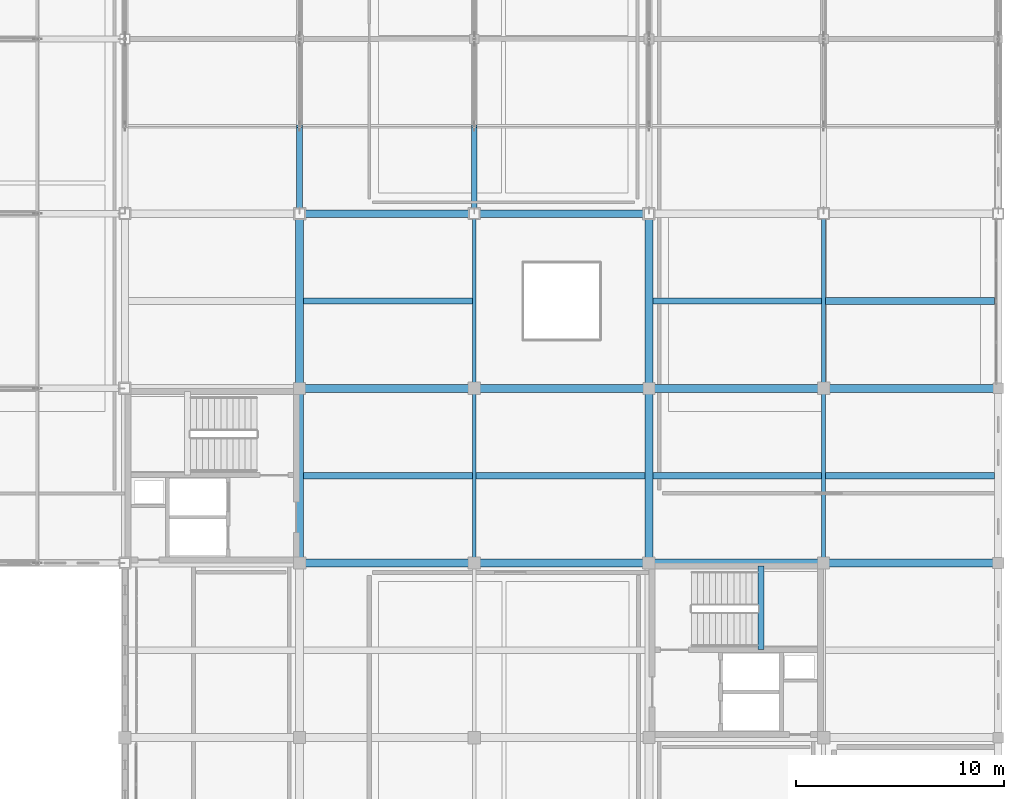
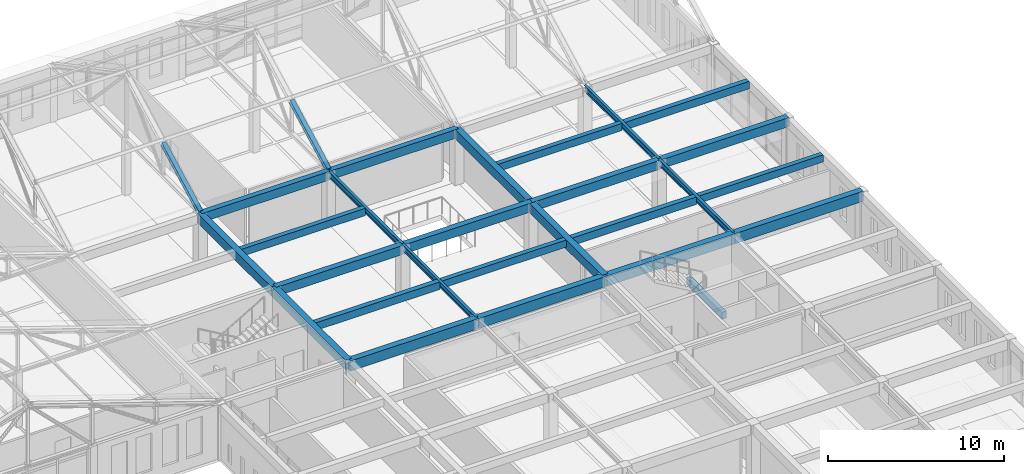
# One storey, part 18 of 56: 26 beams, 2 members.
"""IFC4 building model written with IfcOpenShell, lengths in metres."""

from ifc_helpers import new_model, si_unit, direction, frame, origin, origin_2d, place, context, subcontext, project, spatial, rectangle, i_section, extrude, material, material_profile, profile_set, type_object, element, save


model = new_model("IFC4")

# Units and contexts
model_context = context("Model", 3, precision=1e-05, world=origin(), true_north=direction((0.0, 1.0)))
body_context = subcontext(model_context, "Body", "Model", "MODEL_VIEW")
ifc_project = project(units=[si_unit("LENGTHUNIT", "METRE"), si_unit("AREAUNIT", "SQUARE_METRE"), si_unit("VOLUMEUNIT", "CUBIC_METRE"), si_unit("PLANEANGLEUNIT", "RADIAN"), si_unit("MASSUNIT", "GRAM", prefix="KILO")], contexts=[model_context])

# Site, building, storey
site_placement = place(None, origin())
site = spatial("IfcSite", under=ifc_project, at=site_placement, CompositionType="ELEMENT")
building_placement = place(site_placement, origin())
building = spatial("IfcBuilding", under=site, at=building_placement, Name="Kveldsbrygga Polytechnic", CompositionType="ELEMENT")
storey_placement = place(building_placement, frame((0.0, 0.0, 18.02001953125)))
storey = spatial("IfcBuildingStorey", under=building, at=storey_placement, Name="L04", CompositionType="ELEMENT", Elevation=18.02001953125)

# Beams
ifc_material_1 = material(Name="Concrete C35/45", Category="concrete")
ifc_material_profile_1 = material_profile(ifc_material_1, rectangle(XDim=0.3798828125, YDim=0.6201171875, at=origin_2d()), Name="RC 380x620")
ifc_profile_set_1 = profile_set([ifc_material_profile_1], Name="Concrete C35/45")
beam_type_1 = type_object("IfcBeamType", Name="BM-RC-380x620", PredefinedType="BEAM", material=ifc_profile_set_1)
beam_1_placement = place(storey_placement, frame((134.39990234375, 92.39990234375, 3.469970703125), z_axis=(1.0, 0.0, 0.0), x_axis=(0.0, 1.0, 0.0)))
element("IfcBeam", 1, at=beam_1_placement, inside=storey, type_object=beam_type_1, Name="Primary Beam BMX-L04-16to17-11", PredefinedType="BEAM", context=body_context, shape_type="SweptSolid", body=[
    extrude(rectangle(XDim=0.3798828125, YDim=0.6201171875, at=origin_2d()), origin(), (0.0, 0.0, 1.0), 8.400146484375),
])
beam_2_placement = place(storey_placement, frame((142.800048828125, 92.39990234375, 3.469970703125), z_axis=(1.0, 0.0, 0.0), x_axis=(0.0, 1.0, 0.0)))
element("IfcBeam", 2, at=beam_2_placement, inside=storey, type_object=beam_type_1, Name="Primary Beam BMX-L04-17to18-11", PredefinedType="BEAM", context=body_context, shape_type="SweptSolid", body=[
    extrude(rectangle(XDim=0.3798828125, YDim=0.6201171875, at=origin_2d()), origin(), (0.0, 0.0, 1.0), 8.39990234375),
])
beam_3_placement = place(storey_placement, frame((151.199951171875, 92.39990234375, 3.469970703125), z_axis=(1.0, 0.0, 0.0), x_axis=(0.0, 1.0, 0.0)))
element("IfcBeam", 3, at=beam_3_placement, inside=storey, type_object=beam_type_1, Name="Primary Beam BMX-L04-18to19-11", PredefinedType="BEAM", context=body_context, shape_type="SweptSolid", body=[
    extrude(rectangle(XDim=0.3798828125, YDim=0.6201171875, at=origin_2d()), origin(), (0.0, 0.0, 1.0), 8.400146484375),
])
beam_4_placement = place(storey_placement, frame((159.60009765625, 92.39990234375, 3.469970703125), z_axis=(1.0, 0.0, 0.0), x_axis=(0.0, 1.0, 0.0)))
element("IfcBeam", 4, at=beam_4_placement, inside=storey, type_object=beam_type_1, Name="Primary Beam BMX-L04-19to20-11", PredefinedType="BEAM", context=body_context, shape_type="SweptSolid", body=[
    extrude(rectangle(XDim=0.3798828125, YDim=0.6201171875, at=origin_2d()), origin(), (0.0, 0.0, 1.0), 8.39990234375),
])
ifc_material_profile_2 = material_profile(ifc_material_1, rectangle(XDim=0.39990234375, YDim=0.64990234375, at=origin_2d()), Name="RC 400x650")
ifc_profile_set_2 = profile_set([ifc_material_profile_2], Name="Concrete C35/45")
beam_type_2 = type_object("IfcBeamType", Name="BM-RC-400x650", PredefinedType="BEAM", material=ifc_profile_set_2)
beam_5_placement = place(storey_placement, frame((134.39990234375, 84.0, 3.455078125), z_axis=(0.0, 1.0, 0.0), x_axis=(-1.0, 0.0, 0.0)))
element("IfcBeam", 5, at=beam_5_placement, inside=storey, type_object=beam_type_2, Name="Primary Beam BMY-L04-16-10to11", PredefinedType="BEAM", context=body_context, shape_type="SweptSolid", body=[
    extrude(rectangle(XDim=0.39990234375, YDim=0.64990234375, at=origin_2d()), origin(), (0.0, 0.0, 1.0), 8.39990234375),
])
beam_6_placement = place(storey_placement, frame((134.39990234375, 92.39990234375, 3.455078125), z_axis=(0.0, 1.0, 0.0), x_axis=(-1.0, 0.0, 0.0)))
element("IfcBeam", 6, at=beam_6_placement, inside=storey, type_object=beam_type_2, Name="Primary Beam BMY-L04-16-11to12", PredefinedType="BEAM", context=body_context, shape_type="SweptSolid", body=[
    extrude(rectangle(XDim=0.39990234375, YDim=0.64990234375, at=origin_2d()), origin(), (0.0, 0.0, 1.0), 8.400146484375),
])
beam_7_placement = place(storey_placement, frame((151.199951171875, 84.0, 3.455078125), z_axis=(0.0, 1.0, 0.0), x_axis=(-1.0, 0.0, 0.0)))
element("IfcBeam", 7, at=beam_7_placement, inside=storey, type_object=beam_type_2, Name="Primary Beam BMY-L04-18-10to11", PredefinedType="BEAM", context=body_context, shape_type="SweptSolid", body=[
    extrude(rectangle(XDim=0.39990234375, YDim=0.64990234375, at=origin_2d()), origin(), (0.0, 0.0, 1.0), 8.39990234375),
])
beam_8_placement = place(storey_placement, frame((151.199951171875, 92.39990234375, 3.455078125), z_axis=(0.0, 1.0, 0.0), x_axis=(-1.0, 0.0, 0.0)))
element("IfcBeam", 8, at=beam_8_placement, inside=storey, type_object=beam_type_2, Name="Primary Beam BMY-L04-18-11to12", PredefinedType="BEAM", context=body_context, shape_type="SweptSolid", body=[
    extrude(rectangle(XDim=0.39990234375, YDim=0.64990234375, at=origin_2d()), origin(), (0.0, 0.0, 1.0), 8.400146484375),
])
ifc_material_profile_3 = material_profile(ifc_material_1, rectangle(XDim=0.39990234375, YDim=0.699951171875, at=origin_2d()), Name="RC 400x700")
ifc_profile_set_3 = profile_set([ifc_material_profile_3], Name="Concrete C35/45")
beam_type_3 = type_object("IfcBeamType", Name="BM-RC-400x700", PredefinedType="BEAM", material=ifc_profile_set_3)
beam_9_placement = place(storey_placement, frame((134.39990234375, 84.0, 3.429931640625), z_axis=(1.0, 0.0, 0.0), x_axis=(0.0, 1.0, 0.0)))
element("IfcBeam", 9, at=beam_9_placement, inside=storey, type_object=beam_type_3, Name="Primary Beam BMX-L04-16to17-10", PredefinedType="BEAM", context=body_context, shape_type="SweptSolid", body=[
    extrude(rectangle(XDim=0.39990234375, YDim=0.699951171875, at=origin_2d()), origin(), (0.0, 0.0, 1.0), 8.400146484375),
])
beam_10_placement = place(storey_placement, frame((142.800048828125, 84.0, 3.429931640625), z_axis=(1.0, 0.0, 0.0), x_axis=(0.0, 1.0, 0.0)))
element("IfcBeam", 10, at=beam_10_placement, inside=storey, type_object=beam_type_3, Name="Primary Beam BMX-L04-17to18-10", PredefinedType="BEAM", context=body_context, shape_type="SweptSolid", body=[
    extrude(rectangle(XDim=0.39990234375, YDim=0.699951171875, at=origin_2d()), origin(), (0.0, 0.0, 1.0), 8.39990234375),
])
beam_11_placement = place(storey_placement, frame((151.199951171875, 84.0, 3.429931640625), z_axis=(1.0, 0.0, 0.0), x_axis=(0.0, 1.0, 0.0)))
element("IfcBeam", 11, at=beam_11_placement, inside=storey, type_object=beam_type_3, Name="Primary Beam BMX-L04-18to19-10", PredefinedType="BEAM", context=body_context, shape_type="SweptSolid", body=[
    extrude(rectangle(XDim=0.39990234375, YDim=0.699951171875, at=origin_2d()), origin(), (0.0, 0.0, 1.0), 8.400146484375),
])
beam_12_placement = place(storey_placement, frame((159.60009765625, 84.0, 3.429931640625), z_axis=(1.0, 0.0, 0.0), x_axis=(0.0, 1.0, 0.0)))
element("IfcBeam", 12, at=beam_12_placement, inside=storey, type_object=beam_type_3, Name="Primary Beam BMX-L04-19to20-10", PredefinedType="BEAM", context=body_context, shape_type="SweptSolid", body=[
    extrude(rectangle(XDim=0.39990234375, YDim=0.699951171875, at=origin_2d()), origin(), (0.0, 0.0, 1.0), 8.39990234375),
])
ifc_material_profile_4 = material_profile(ifc_material_1, rectangle(XDim=0.35009765625, YDim=0.60009765625, at=origin_2d()), Name="RC 350x600")
ifc_profile_set_4 = profile_set([ifc_material_profile_4], Name="Concrete C35/45")
beam_type_4 = type_object("IfcBeamType", Name="BM-SPANDREL-600", PredefinedType="T_BEAM", material=ifc_profile_set_4)
beam_13_placement = place(storey_placement, frame((134.39990234375, 100.800048828125, 3.47998046875), z_axis=(1.0, 0.0, 0.0), x_axis=(0.0, 1.0, 0.0)))
element("IfcBeam", 13, at=beam_13_placement, inside=storey, type_object=beam_type_4, Name="Primary Beam BMX-L04-16to17-12", PredefinedType="T_BEAM", context=body_context, shape_type="SweptSolid", body=[
    extrude(rectangle(XDim=0.35009765625, YDim=0.60009765625, at=origin_2d()), origin(), (0.0, 0.0, 1.0), 8.400146484375),
])
beam_14_placement = place(storey_placement, frame((142.800048828125, 100.800048828125, 3.47998046875), z_axis=(1.0, 0.0, 0.0), x_axis=(0.0, 1.0, 0.0)))
element("IfcBeam", 14, at=beam_14_placement, inside=storey, type_object=beam_type_4, Name="Primary Beam BMX-L04-17to18-12", PredefinedType="T_BEAM", context=body_context, shape_type="SweptSolid", body=[
    extrude(rectangle(XDim=0.35009765625, YDim=0.60009765625, at=origin_2d()), origin(), (0.0, 0.0, 1.0), 8.39990234375),
])
ifc_material_2 = material(Name="Steel S355", Category="steel")
ifc_material_profile_5 = material_profile(ifc_material_2, i_section(OverallWidth=0.179931640625, OverallDepth=0.39990234375, WebThickness=0.008544921875, FlangeThickness=0.013427734375, FilletRadius=0.02099609375, at=origin_2d()), Name="IPE 400")
ifc_profile_set_5 = profile_set([ifc_material_profile_5], Name="Steel S355")
beam_type_5 = type_object("IfcBeamType", Name="BM-STL-IPE400", PredefinedType="BEAM", material=ifc_profile_set_5)
beam_15_placement = place(storey_placement, frame((142.800048828125, 84.0, 3.580078125), z_axis=(0.0, 1.0, 0.0), x_axis=(-1.0, 0.0, 0.0)))
element("IfcBeam", 15, at=beam_15_placement, inside=storey, type_object=beam_type_5, Name="Primary Beam BMY-L04-17-10to11", PredefinedType="BEAM", context=body_context, shape_type="SweptSolid", body=[
    extrude(i_section(OverallWidth=0.179931640625, OverallDepth=0.39990234375, WebThickness=0.008544921875, FlangeThickness=0.013427734375, FilletRadius=0.02099609375, at=origin_2d()), origin(), (0.0, 0.0, 1.0), 8.39990234375),
])
beam_16_placement = place(storey_placement, frame((142.800048828125, 92.39990234375, 3.580078125), z_axis=(0.0, 1.0, 0.0), x_axis=(-1.0, 0.0, 0.0)))
element("IfcBeam", 16, at=beam_16_placement, inside=storey, type_object=beam_type_5, Name="Primary Beam BMY-L04-17-11to12", PredefinedType="BEAM", context=body_context, shape_type="SweptSolid", body=[
    extrude(i_section(OverallWidth=0.179931640625, OverallDepth=0.39990234375, WebThickness=0.008544921875, FlangeThickness=0.013427734375, FilletRadius=0.02099609375, at=origin_2d()), origin(), (0.0, 0.0, 1.0), 8.400146484375),
])
beam_17_placement = place(storey_placement, frame((159.60009765625, 84.0, 3.580078125), z_axis=(0.0, 1.0, 0.0), x_axis=(-1.0, 0.0, 0.0)))
element("IfcBeam", 17, at=beam_17_placement, inside=storey, type_object=beam_type_5, Name="Primary Beam BMY-L04-19-10to11", PredefinedType="BEAM", context=body_context, shape_type="SweptSolid", body=[
    extrude(i_section(OverallWidth=0.179931640625, OverallDepth=0.39990234375, WebThickness=0.008544921875, FlangeThickness=0.013427734375, FilletRadius=0.02099609375, at=origin_2d()), origin(), (0.0, 0.0, 1.0), 8.39990234375),
])
beam_18_placement = place(storey_placement, frame((159.60009765625, 92.39990234375, 3.580078125), z_axis=(0.0, 1.0, 0.0), x_axis=(-1.0, 0.0, 0.0)))
element("IfcBeam", 18, at=beam_18_placement, inside=storey, type_object=beam_type_5, Name="Primary Beam BMY-L04-19-11to12", PredefinedType="BEAM", context=body_context, shape_type="SweptSolid", body=[
    extrude(i_section(OverallWidth=0.179931640625, OverallDepth=0.39990234375, WebThickness=0.008544921875, FlangeThickness=0.013427734375, FilletRadius=0.02099609375, at=origin_2d()), origin(), (0.0, 0.0, 1.0), 8.400146484375),
])
ifc_material_profile_6 = material_profile(ifc_material_1, rectangle(XDim=0.300048828125, YDim=0.5, at=origin_2d()), Name="RC 300x500")
ifc_profile_set_6 = profile_set([ifc_material_profile_6], Name="Concrete C35/45")
beam_type_6 = type_object("IfcBeamType", Name="JST-RC-300x500", PredefinedType="JOIST", material=ifc_profile_set_6)
beam_19_placement = place(storey_placement, frame((134.60009765625, 96.60009765625, 3.530029296875), z_axis=(1.0, 0.0, 0.0), x_axis=(0.0, 1.0, 0.0)))
element("IfcBeam", 19, at=beam_19_placement, inside=storey, type_object=beam_type_6, Name="Secondary Joist JST-L04-16-11", PredefinedType="JOIST", context=body_context, shape_type="SweptSolid", body=[
    extrude(rectangle(XDim=0.300048828125, YDim=0.5, at=origin_2d()), origin(), (0.0, 0.0, 1.0), 8.10986328125),
])
for number, where, z_axis, x_axis, name in (
    (20, (142.889892578125, 88.199951171875, 3.530029296875), (1.0, 0.0, 0.0), (0.0, 1.0, 0.0), "Secondary Joist JST-L04-17-10"),
    (21, (151.39990234375, 96.60009765625, 3.530029296875), (1.0, 0.0, 0.0), (0.0, 1.0, 0.0), "Secondary Joist JST-L04-18-11"),
):
    element("IfcBeam", number, at=place(storey_placement, frame(where, z_axis=z_axis, x_axis=x_axis)), inside=storey, type_object=beam_type_6, Name=name, PredefinedType="JOIST", context=body_context, shape_type="SweptSolid", body=[
        extrude(rectangle(XDim=0.300048828125, YDim=0.5, at=origin_2d()), origin(), (0.0, 0.0, 1.0), 8.110107421875),
    ])
beam_20_placement = place(storey_placement, frame((159.68994140625, 88.199951171875, 3.530029296875), z_axis=(1.0, 0.0, 0.0), x_axis=(0.0, 1.0, 0.0)))
element("IfcBeam", 22, at=beam_20_placement, inside=storey, type_object=beam_type_6, Name="Secondary Joist JST-L04-19-10", PredefinedType="JOIST", context=body_context, shape_type="SweptSolid", body=[
    extrude(rectangle(XDim=0.300048828125, YDim=0.5, at=origin_2d()), origin(), (0.0, 0.0, 1.0), 8.135009765625),
])
ifc_material_profile_7 = material_profile(ifc_material_1, rectangle(XDim=0.320068359375, YDim=0.52001953125, at=origin_2d()), Name="RC 320x520")
ifc_profile_set_7 = profile_set([ifc_material_profile_7], Name="Concrete C35/45")
beam_type_7 = type_object("IfcBeamType", Name="JST-RC-320x520", PredefinedType="JOIST", material=ifc_profile_set_7)
beam_21_placement = place(storey_placement, frame((134.60009765625, 88.199951171875, 3.52001953125), z_axis=(1.0, 0.0, 0.0), x_axis=(0.0, 1.0, 0.0)))
element("IfcBeam", 23, at=beam_21_placement, inside=storey, type_object=beam_type_7, Name="Secondary Joist JST-L04-16-10", PredefinedType="JOIST", context=body_context, shape_type="SweptSolid", body=[
    extrude(rectangle(XDim=0.320068359375, YDim=0.52001953125, at=origin_2d()), origin(), (0.0, 0.0, 1.0), 8.10986328125),
])
beam_22_placement = place(storey_placement, frame((151.39990234375, 88.199951171875, 3.52001953125), z_axis=(1.0, 0.0, 0.0), x_axis=(0.0, 1.0, 0.0)))
element("IfcBeam", 24, at=beam_22_placement, inside=storey, type_object=beam_type_7, Name="Secondary Joist JST-L04-18-10", PredefinedType="JOIST", context=body_context, shape_type="SweptSolid", body=[
    extrude(rectangle(XDim=0.320068359375, YDim=0.52001953125, at=origin_2d()), origin(), (0.0, 0.0, 1.0), 8.110107421875),
])
beam_23_placement = place(storey_placement, frame((159.68994140625, 96.60009765625, 3.52001953125), z_axis=(1.0, 0.0, 0.0), x_axis=(0.0, 1.0, 0.0)))
element("IfcBeam", 25, at=beam_23_placement, inside=storey, type_object=beam_type_7, Name="Secondary Joist JST-L04-19-11", PredefinedType="JOIST", context=body_context, shape_type="SweptSolid", body=[
    extrude(rectangle(XDim=0.320068359375, YDim=0.52001953125, at=origin_2d()), origin(), (0.0, 0.0, 1.0), 8.135009765625),
])
ifc_material_profile_8 = material_profile(ifc_material_1, rectangle(XDim=0.300048828125, YDim=0.5, at=origin_2d()), Name="RC 300x500")
ifc_profile_set_8 = profile_set([ifc_material_profile_8], Name="Concrete C35/45")
beam_type_8 = type_object("IfcBeamType", Name="LNT-RC-300x500", PredefinedType="LINTEL", material=ifc_profile_set_8)
beam_24_placement = place(storey_placement, frame((156.590087890625, 79.830078125, 1.590087890625), z_axis=(0.0, 1.0, 0.0), x_axis=(-1.0, 0.0, 0.0)))
element("IfcBeam", 26, at=beam_24_placement, inside=storey, type_object=beam_type_8, Name="Stair Landing Support Beam C4-L04-LNDB-1-1", PredefinedType="LINTEL", context=body_context, shape_type="SweptSolid", body=[
    extrude(rectangle(XDim=0.300048828125, YDim=0.5, at=origin_2d()), origin(), (0.0, 0.0, 1.0), 4.02001953125),
])

# Members
ifc_material_profile_9 = material_profile(ifc_material_2, i_section(OverallWidth=0.280029296875, OverallDepth=0.280029296875, WebThickness=0.010498046875, FlangeThickness=0.01806640625, FilletRadius=0.02392578125, at=origin_2d()), Name="HEB 280")
ifc_profile_set_9 = profile_set([ifc_material_profile_9], Name="Steel S355")
member_type = type_object("IfcMemberType", Name="TR-TOP-HEB280", PredefinedType="CHORD", material=ifc_profile_set_9)
for number, where, z_axis, x_axis, name in (
    (27, (134.39990234375, 100.800048828125, 3.780029296875), (0.0, 0.883670438028, 0.468109556574), (-1.0, 0.0, 0.0), "Truss Top Chord V4N5-T02-TC-1"),
    (28, (142.800048828125, 100.800048828125, 3.780029296875), (0.0, 0.883670438028, 0.468109556574), (-1.0, 0.0, 0.0), "Truss Top Chord V4N5-T03-TC-1"),
):
    element("IfcMember", number, at=place(storey_placement, frame(where, z_axis=z_axis, x_axis=x_axis)), inside=storey, type_object=member_type, Name=name, PredefinedType="CHORD", context=body_context, shape_type="SweptSolid", body=[
        extrude(i_section(OverallWidth=0.280029296875, OverallDepth=0.280029296875, WebThickness=0.010498046875, FlangeThickness=0.01806640625, FilletRadius=0.02392578125, at=origin_2d()), origin(), (0.0, 0.0, 1.0), 4.7529296875),
    ])

save(model, "model.ifc")
